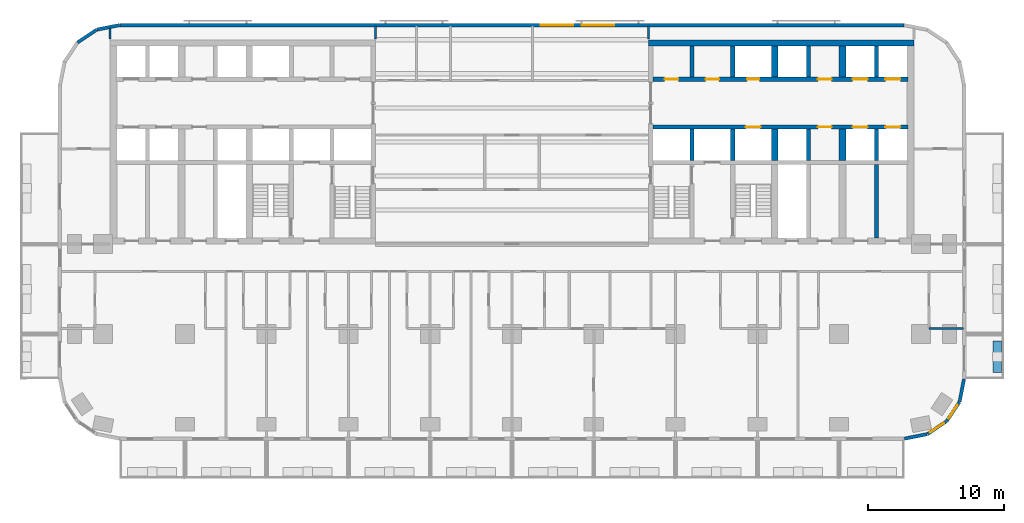
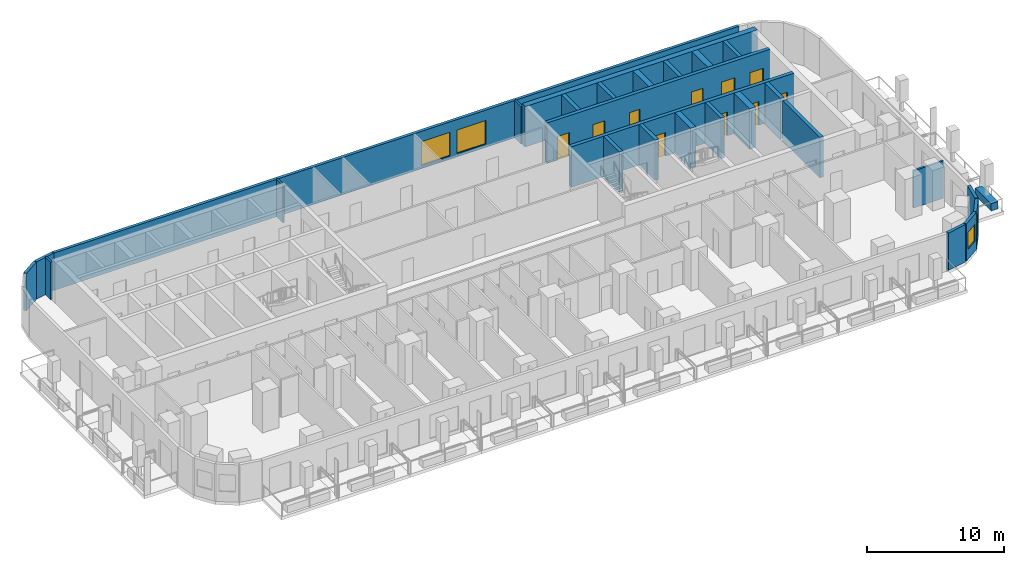
# One storey, part 7 of 13: 28 walls, 10 doors, 4 windows, 14 openings.
"""IFC4 building model written with IfcOpenShell, lengths in metres."""

from ifc_helpers import new_model, si_unit, direction, frame, frame_2d, origin, place, context, subcontext, project, spatial, rectangle, extrude, material, layer, layer_set, type_object, element, fill, save


model = new_model("IFC4")

# Units and contexts
model_context = context("Model", 3, precision=1e-05, world=origin(), true_north=direction((0.0, 1.0)))
body_context = subcontext(model_context, "Body", "Model", "MODEL_VIEW")
ifc_project = project(units=[si_unit("LENGTHUNIT", "METRE"), si_unit("AREAUNIT", "SQUARE_METRE"), si_unit("VOLUMEUNIT", "CUBIC_METRE"), si_unit("PLANEANGLEUNIT", "RADIAN"), si_unit("MASSUNIT", "GRAM", prefix="KILO")], contexts=[model_context])

# Site, building, storey
site_placement = place(None, origin())
site = spatial("IfcSite", under=ifc_project, at=site_placement, CompositionType="ELEMENT")
building_placement = place(site_placement, origin())
building = spatial("IfcBuilding", under=site, at=building_placement, Name="Torana Hotel and Residences", CompositionType="ELEMENT")
storey_placement = place(building_placement, frame((0.0, 0.0, 60.0)))
storey = spatial("IfcBuildingStorey", under=building, at=storey_placement, Name="L14", CompositionType="ELEMENT", Elevation=60.0)

# Wall, openings, doors
ifc_material_1 = material(Name="Concrete C80/95", Category="concrete")
ifc_layer_1 = layer(ifc_material_1, 0.300048828125)
ifc_layer_set_1 = layer_set([ifc_layer_1], Name="CORE WALL 300 C80/95")
wall_type_1 = type_object("IfcWallType", Name="CORE WALL 300 C80/95", PredefinedType="SHEAR", material=ifc_layer_set_1)
wall_1_placement = place(storey_placement, frame((10.35009765625, -2.89990234375, 0.0), z_axis=(0.0, 0.0, 1.0), x_axis=(1.0, 0.0, 0.0)))
wall_1 = element("IfcWall", 1, at=wall_1_placement, inside=storey, type_object=wall_type_1, Name="Core wall E row-N", PredefinedType="SHEAR", context=body_context, shape_type="SweptSolid", body=[
    extrude(rectangle(XDim=18.699951171875, YDim=0.300048828125, at=frame_2d((9.35009765625, 0.0))), origin(), (0.0, 0.0, 1.0), 3.60009765625),
])
opening_1_placement = place(wall_1_placement, frame((14.64990234375, 0.0, 0.0)))
opening_1 = element("IfcOpeningElement", 2, at=opening_1_placement, cuts=wall_1, Name="Opening LD", PredefinedType="OPENING", context=body_context, shape_type="SweptSolid", body=[
    extrude(rectangle(XDim=1.10009765625, YDim=2.10009765625, at=frame_2d((0.550048828125, 1.050048828125))), frame((0.0, 0.159912109375, 0.0), z_axis=(0.0, -1.0, 0.0), x_axis=(1.0, 0.0, 0.0)), (0.0, 0.0, 1.0), 0.320068359375),
])
opening_2_placement = place(wall_1_placement, frame((17.050048828125, 0.0, 0.0)))
opening_2 = element("IfcOpeningElement", 3, at=opening_2_placement, cuts=wall_1, Name="Opening LD", PredefinedType="OPENING", context=body_context, shape_type="SweptSolid", body=[
    extrude(rectangle(XDim=1.10009765625, YDim=2.10009765625, at=frame_2d((0.550048828125, 1.050048828125))), frame((0.0, 0.159912109375, 0.0), z_axis=(0.0, -1.0, 0.0), x_axis=(1.0, 0.0, 0.0)), (0.0, 0.0, 1.0), 0.320068359375),
])
opening_3_placement = place(wall_1_placement, frame((6.89990234375, 0.0, 0.0)))
opening_3 = element("IfcOpeningElement", 4, at=opening_3_placement, cuts=wall_1, Name="Opening L14-26", PredefinedType="OPENING", context=body_context, shape_type="SweptSolid", body=[
    extrude(rectangle(XDim=0.89990234375, YDim=2.10009765625, at=frame_2d((0.449951171875, 1.050048828125))), frame((0.0, 0.159912109375, 0.0), z_axis=(0.0, -1.0, 0.0), x_axis=(1.0, 0.0, 0.0)), (0.0, 0.0, 1.0), 0.320068359375),
])
opening_4_placement = place(wall_1_placement, frame((0.85009765625, 0.0, 0.0)))
opening_4 = element("IfcOpeningElement", 5, at=opening_4_placement, cuts=wall_1, Name="Opening L14-27", PredefinedType="OPENING", context=body_context, shape_type="SweptSolid", body=[
    extrude(rectangle(XDim=1.0, YDim=2.10009765625, at=frame_2d((0.5, 1.050048828125))), frame((0.0, 0.159912109375, 0.0), z_axis=(0.0, -1.0, 0.0), x_axis=(1.0, 0.0, 0.0)), (0.0, 0.0, 1.0), 0.320068359375),
])
opening_5_placement = place(wall_1_placement, frame((3.85009765625, 0.0, 0.0)))
opening_5 = element("IfcOpeningElement", 6, at=opening_5_placement, cuts=wall_1, Name="Opening L14-28", PredefinedType="OPENING", context=body_context, shape_type="SweptSolid", body=[
    extrude(rectangle(XDim=1.0, YDim=2.10009765625, at=frame_2d((0.5, 1.050048828125))), frame((0.0, 0.159912109375, 0.0), z_axis=(0.0, -1.0, 0.0), x_axis=(1.0, 0.0, 0.0)), (0.0, 0.0, 1.0), 0.320068359375),
])
opening_6_placement = place(wall_1_placement, frame((12.10009765625, 0.0, 0.0)))
opening_6 = element("IfcOpeningElement", 7, at=opening_6_placement, cuts=wall_1, Name="Opening L14-29", PredefinedType="OPENING", context=body_context, shape_type="SweptSolid", body=[
    extrude(rectangle(XDim=1.0, YDim=2.10009765625, at=frame_2d((0.5, 1.050048828125))), frame((0.0, 0.159912109375, 0.0), z_axis=(0.0, -1.0, 0.0), x_axis=(1.0, 0.0, 0.0)), (0.0, 0.0, 1.0), 0.320068359375),
])
ifc_material_2 = material(Name="Steel S235", Category="steel")
door_type_1 = type_object("IfcDoorType", Name="CORE ROOM FIRE DOOR D14 1000x2100", OperationType="SINGLE_SWING_LEFT", PredefinedType="DOOR", material=ifc_material_2)
door_1_placement = place(opening_4_placement, origin())
door_1 = element("IfcDoor", 8, at=door_1_placement, inside=storey, type_object=door_type_1, Name="N0 door L14", OperationType="SINGLE_SWING_RIGHT", OverallHeight=2.10009765625, OverallWidth=1.0, PredefinedType="DOOR", context=body_context, shape_type="SweptSolid", body=[
    extrude(rectangle(XDim=1.0, YDim=2.10009765625, at=frame_2d((0.5, 1.050048828125))), frame((0.0, 0.02490234375, 0.0), z_axis=(0.0, -1.0, 0.0), x_axis=(1.0, 0.0, 0.0)), (0.0, 0.0, 1.0), 0.050048828125),
])
fill(opening_4, door_1)
door_2_placement = place(opening_5_placement, origin())
door_2 = element("IfcDoor", 9, at=door_2_placement, inside=storey, type_object=door_type_1, Name="N1 door L14", OperationType="SINGLE_SWING_RIGHT", OverallHeight=2.10009765625, OverallWidth=1.0, PredefinedType="DOOR", context=body_context, shape_type="SweptSolid", body=[
    extrude(rectangle(XDim=1.0, YDim=2.10009765625, at=frame_2d((0.5, 1.050048828125))), frame((0.0, 0.02490234375, 0.0), z_axis=(0.0, -1.0, 0.0), x_axis=(1.0, 0.0, 0.0)), (0.0, 0.0, 1.0), 0.050048828125),
])
fill(opening_5, door_2)
door_3_placement = place(opening_6_placement, origin())
door_3 = element("IfcDoor", 10, at=door_3_placement, inside=storey, type_object=door_type_1, Name="Free-M3 door L14", OperationType="SINGLE_SWING_RIGHT", OverallHeight=2.10009765625, OverallWidth=1.0, PredefinedType="DOOR", context=body_context, shape_type="SweptSolid", body=[
    extrude(rectangle(XDim=1.0, YDim=2.10009765625, at=frame_2d((0.5, 1.050048828125))), frame((0.0, 0.02490234375, 0.0), z_axis=(0.0, -1.0, 0.0), x_axis=(1.0, 0.0, 0.0)), (0.0, 0.0, 1.0), 0.050048828125),
])
fill(opening_6, door_3)
ifc_material_3 = material(Name="Stainless steel 316", Category="steel")
door_type_2 = type_object("IfcDoorType", Name="LIFT LANDING DOOR LD 1100x2100", OperationType="DOUBLE_DOOR_SLIDING", PredefinedType="USERDEFINED", material=ifc_material_3)
door_4_placement = place(opening_1_placement, origin())
door_4 = element("IfcDoor", 11, at=door_4_placement, inside=storey, type_object=door_type_2, Name="Lift landing door L5 L14", ObjectType="LIFT LANDING DOOR", OperationType="DOUBLE_DOOR_SLIDING", OverallHeight=2.10009765625, OverallWidth=1.10009765625, PredefinedType="USERDEFINED", context=body_context, shape_type="SweptSolid", body=[
    extrude(rectangle(XDim=1.10009765625, YDim=2.10009765625, at=frame_2d((0.550048828125, 1.050048828125))), frame((0.0, 0.02490234375, 0.0), z_axis=(0.0, -1.0, 0.0), x_axis=(1.0, 0.0, 0.0)), (0.0, 0.0, 1.0), 0.050048828125),
])
fill(opening_1, door_4)
door_5_placement = place(opening_2_placement, origin())
door_5 = element("IfcDoor", 12, at=door_5_placement, inside=storey, type_object=door_type_2, Name="Lift landing door L6 L14", ObjectType="LIFT LANDING DOOR", OperationType="DOUBLE_DOOR_SLIDING", OverallHeight=2.10009765625, OverallWidth=1.10009765625, PredefinedType="USERDEFINED", context=body_context, shape_type="SweptSolid", body=[
    extrude(rectangle(XDim=1.10009765625, YDim=2.10009765625, at=frame_2d((0.550048828125, 1.050048828125))), frame((0.0, 0.02490234375, 0.0), z_axis=(0.0, -1.0, 0.0), x_axis=(1.0, 0.0, 0.0)), (0.0, 0.0, 1.0), 0.050048828125),
])
fill(opening_2, door_5)
ifc_material_4 = material(Name="Steel S235", Category="steel")
door_type_3 = type_object("IfcDoorType", Name="RISER ACCESS DOOR D5 900x2100", OperationType="SINGLE_SWING_LEFT", PredefinedType="DOOR", material=ifc_material_4)
door_6_placement = place(opening_3_placement, origin())
door_6 = element("IfcDoor", 13, at=door_6_placement, inside=storey, type_object=door_type_3, Name="N2 door L14", OperationType="SINGLE_SWING_RIGHT", OverallHeight=2.10009765625, OverallWidth=0.89990234375, PredefinedType="DOOR", context=body_context, shape_type="SweptSolid", body=[
    extrude(rectangle(XDim=0.89990234375, YDim=2.10009765625, at=frame_2d((0.449951171875, 1.050048828125))), frame((0.0, 0.02490234375, 0.0), z_axis=(0.0, -1.0, 0.0), x_axis=(1.0, 0.0, 0.0)), (0.0, 0.0, 1.0), 0.050048828125),
])
fill(opening_3, door_6)

wall_2_placement = place(storey_placement, frame((10.35009765625, -6.39990234375, 0.0), z_axis=(0.0, 0.0, 1.0), x_axis=(1.0, 0.0, 0.0)))
wall_2 = element("IfcWall", 14, at=wall_2_placement, inside=storey, type_object=wall_type_1, Name="Core wall E row-S", PredefinedType="SHEAR", context=body_context, shape_type="SweptSolid", body=[
    extrude(rectangle(XDim=18.699951171875, YDim=0.300048828125, at=frame_2d((9.35009765625, 0.0))), origin(), (0.0, 0.0, 1.0), 3.60009765625),
])
opening_7_placement = place(wall_2_placement, frame((14.64990234375, 0.0, 0.0)))
opening_7 = element("IfcOpeningElement", 15, at=opening_7_placement, cuts=wall_2, Name="Opening LD", PredefinedType="OPENING", context=body_context, shape_type="SweptSolid", body=[
    extrude(rectangle(XDim=1.10009765625, YDim=2.10009765625, at=frame_2d((0.550048828125, 1.050048828125))), frame((0.0, 0.159912109375, 0.0), z_axis=(0.0, -1.0, 0.0), x_axis=(1.0, 0.0, 0.0)), (0.0, 0.0, 1.0), 0.320068359375),
])
opening_8_placement = place(wall_2_placement, frame((17.050048828125, 0.0, 0.0)))
opening_8 = element("IfcOpeningElement", 16, at=opening_8_placement, cuts=wall_2, Name="Opening LD", PredefinedType="OPENING", context=body_context, shape_type="SweptSolid", body=[
    extrude(rectangle(XDim=1.10009765625, YDim=2.10009765625, at=frame_2d((0.550048828125, 1.050048828125))), frame((0.0, 0.159912109375, 0.0), z_axis=(0.0, -1.0, 0.0), x_axis=(1.0, 0.0, 0.0)), (0.0, 0.0, 1.0), 0.320068359375),
])
opening_9_placement = place(wall_2_placement, frame((6.800048828125, 0.0, 0.0)))
opening_9 = element("IfcOpeningElement", 17, at=opening_9_placement, cuts=wall_2, Name="Opening LD", PredefinedType="OPENING", context=body_context, shape_type="SweptSolid", body=[
    extrude(rectangle(XDim=1.10009765625, YDim=2.10009765625, at=frame_2d((0.550048828125, 1.050048828125))), frame((0.0, 0.159912109375, 0.0), z_axis=(0.0, -1.0, 0.0), x_axis=(1.0, 0.0, 0.0)), (0.0, 0.0, 1.0), 0.320068359375),
])
opening_10_placement = place(wall_2_placement, frame((12.10009765625, 0.0, 0.0)))
opening_10 = element("IfcOpeningElement", 18, at=opening_10_placement, cuts=wall_2, Name="Opening L14-30", PredefinedType="OPENING", context=body_context, shape_type="SweptSolid", body=[
    extrude(rectangle(XDim=1.0, YDim=2.10009765625, at=frame_2d((0.5, 1.050048828125))), frame((0.0, 0.159912109375, 0.0), z_axis=(0.0, -1.0, 0.0), x_axis=(1.0, 0.0, 0.0)), (0.0, 0.0, 1.0), 0.320068359375),
])
door_7_placement = place(opening_10_placement, frame((0.5, 0.0, 0.0), z_axis=(0.0, 0.0, 1.0), x_axis=(-1.0, 0.0, 0.0)))
door_7 = element("IfcDoor", 19, at=door_7_placement, inside=storey, type_object=door_type_1, Name="Free-M4 door L14", OperationType="SINGLE_SWING_LEFT", OverallHeight=2.10009765625, OverallWidth=1.0, PredefinedType="DOOR", context=body_context, shape_type="SweptSolid", body=[
    extrude(rectangle(XDim=1.0, YDim=2.10009765625, at=frame_2d((0.0, 1.050048828125))), frame((0.0, -0.02490234375, 0.0), z_axis=(0.0, 1.0, 0.0), x_axis=(-1.0, 0.0, 0.0)), (0.0, 0.0, 1.0), 0.050048828125),
])
fill(opening_10, door_7)
door_8_placement = place(opening_7_placement, origin())
door_8 = element("IfcDoor", 20, at=door_8_placement, inside=storey, type_object=door_type_2, Name="Lift landing door L7 L14", ObjectType="LIFT LANDING DOOR", OperationType="DOUBLE_DOOR_SLIDING", OverallHeight=2.10009765625, OverallWidth=1.10009765625, PredefinedType="USERDEFINED", context=body_context, shape_type="SweptSolid", body=[
    extrude(rectangle(XDim=1.10009765625, YDim=2.10009765625, at=frame_2d((0.550048828125, 1.050048828125))), frame((0.0, 0.02490234375, 0.0), z_axis=(0.0, -1.0, 0.0), x_axis=(1.0, 0.0, 0.0)), (0.0, 0.0, 1.0), 0.050048828125),
])
fill(opening_7, door_8)
door_9_placement = place(opening_8_placement, origin())
door_9 = element("IfcDoor", 21, at=door_9_placement, inside=storey, type_object=door_type_2, Name="Lift landing door L8 L14", ObjectType="LIFT LANDING DOOR", OperationType="DOUBLE_DOOR_SLIDING", OverallHeight=2.10009765625, OverallWidth=1.10009765625, PredefinedType="USERDEFINED", context=body_context, shape_type="SweptSolid", body=[
    extrude(rectangle(XDim=1.10009765625, YDim=2.10009765625, at=frame_2d((0.550048828125, 1.050048828125))), frame((0.0, 0.02490234375, 0.0), z_axis=(0.0, -1.0, 0.0), x_axis=(1.0, 0.0, 0.0)), (0.0, 0.0, 1.0), 0.050048828125),
])
fill(opening_8, door_9)
door_10_placement = place(opening_9_placement, origin())
door_10 = element("IfcDoor", 22, at=door_10_placement, inside=storey, type_object=door_type_2, Name="Lift landing door SV2 L14", ObjectType="LIFT LANDING DOOR", OperationType="DOUBLE_DOOR_SLIDING", OverallHeight=2.10009765625, OverallWidth=1.10009765625, PredefinedType="USERDEFINED", context=body_context, shape_type="SweptSolid", body=[
    extrude(rectangle(XDim=1.10009765625, YDim=2.10009765625, at=frame_2d((0.550048828125, 1.050048828125))), frame((0.0, 0.02490234375, 0.0), z_axis=(0.0, -1.0, 0.0), x_axis=(1.0, 0.0, 0.0)), (0.0, 0.0, 1.0), 0.050048828125),
])
fill(opening_9, door_10)

# Walls
for number, where, z_axis, x_axis, name in (
    (23, (13.199951171875, -2.75, 0.0), (0.0, 0.0, 1.0), (0.0, 1.0, 0.0), "Core wall E x3.05-N"),
    (24, (13.199951171875, -8.85009765625, 0.0), (0.0, 0.0, 1.0), (0.0, 1.0, 0.0), "Core wall E x3.05-S"),
    (25, (16.199951171875, -2.75, 0.0), (0.0, 0.0, 1.0), (0.0, 1.0, 0.0), "Core wall E x6.05-N"),
    (26, (16.199951171875, -8.85009765625, 0.0), (0.0, 0.0, 1.0), (0.0, 1.0, 0.0), "Core wall E x6.05-S"),
    (27, (21.75, -2.75, 0.0), (0.0, 0.0, 1.0), (0.0, 1.0, 0.0), "Core wall E mm-N"),
    (28, (21.75, -8.85009765625, 0.0), (0.0, 0.0, 1.0), (0.0, 1.0, 0.0), "Core wall E mm-S"),
    (29, (26.75, -2.75, 0.0), (0.0, 0.0, 1.0), (0.0, 1.0, 0.0), "Core wall E ll-N"),
    (30, (26.75, -8.85009765625, 0.0), (0.0, 0.0, 1.0), (0.0, 1.0, 0.0), "Core wall E ll-S"),
):
    element("IfcWall", number, at=place(storey_placement, frame(where, z_axis=z_axis, x_axis=x_axis)), inside=storey, type_object=wall_type_1, Name=name, PredefinedType="SHEAR", context=body_context, shape_type="SweptSolid", body=[
        extrude(rectangle(XDim=2.300048828125, YDim=0.300048828125, at=frame_2d((1.14990234375, 0.0))), origin(), (0.0, 0.0, 1.0), 3.60009765625),
    ])
wall_3_placement = place(storey_placement, frame((26.75, -14.550048828125, 0.0), z_axis=(0.0, 0.0, 1.0), x_axis=(0.0, 1.0, 0.0)))
element("IfcWall", 31, at=wall_3_placement, inside=storey, type_object=wall_type_1, Name="Core wall E ll-band", PredefinedType="SHEAR", context=body_context, shape_type="SweptSolid", body=[
    extrude(rectangle(XDim=5.400146484375, YDim=0.300048828125, at=frame_2d((2.7001953125, 0.0))), origin(), (0.0, 0.0, 1.0), 3.60009765625),
])
ifc_material_5 = material(Name="Concrete C80/95", Category="concrete")
ifc_layer_2 = layer(ifc_material_5, 0.449951171875)
ifc_layer_set_2 = layer_set([ifc_layer_2], Name="CORE WALL 450 C80/95")
wall_type_2 = type_object("IfcWallType", Name="CORE WALL 450 C80/95", PredefinedType="SHEAR", material=ifc_layer_set_2)
wall_4_placement = place(storey_placement, frame((10.0, -0.22509765625, 0.0), z_axis=(0.0, 0.0, 1.0), x_axis=(1.0, 0.0, 0.0)))
element("IfcWall", 32, at=wall_4_placement, inside=storey, type_object=wall_type_2, Name="Core wall E rear", PredefinedType="SHEAR", context=body_context, shape_type="SweptSolid", body=[
    extrude(rectangle(XDim=19.5, YDim=0.449951171875, at=frame_2d((9.75, 0.0))), origin(), (0.0, 0.0, 1.0), 3.60009765625),
])
for number, where, z_axis, x_axis, name in (
    (33, (19.27490234375, -2.75, 0.0), (0.0, 0.0, 1.0), (0.0, 1.0, 0.0), "Core wall E hm-N"),
    (34, (19.27490234375, -8.85009765625, 0.0), (0.0, 0.0, 1.0), (0.0, 1.0, 0.0), "Core wall E hm-S"),
):
    element("IfcWall", number, at=place(storey_placement, frame(where, z_axis=z_axis, x_axis=x_axis)), inside=storey, type_object=wall_type_2, Name=name, PredefinedType="SHEAR", context=body_context, shape_type="SweptSolid", body=[
        extrude(rectangle(XDim=2.300048828125, YDim=0.449951171875, at=frame_2d((1.14990234375, 0.0))), origin(), (0.0, 0.0, 1.0), 3.60009765625),
    ])
ifc_material_6 = material(Name="Concrete C80/95", Category="concrete")
ifc_layer_3 = layer(ifc_material_6, 0.5)
ifc_layer_set_3 = layer_set([ifc_layer_3], Name="CORE WALL 500 C80/95")
wall_type_3 = type_object("IfcWallType", Name="CORE WALL 500 C80/95", PredefinedType="SHEAR", material=ifc_layer_set_3)
for number, where, z_axis, x_axis, name in (
    (35, (24.25, -2.75, 0.0), (0.0, 0.0, 1.0), (0.0, 1.0, 0.0), "Core wall E ml-N"),
    (36, (24.25, -8.85009765625, 0.0), (0.0, 0.0, 1.0), (0.0, 1.0, 0.0), "Core wall E ml-S"),
):
    element("IfcWall", number, at=place(storey_placement, frame(where, z_axis=z_axis, x_axis=x_axis)), inside=storey, type_object=wall_type_3, Name=name, PredefinedType="SHEAR", context=body_context, shape_type="SweptSolid", body=[
        extrude(rectangle(XDim=2.300048828125, YDim=0.5, at=frame_2d((1.14990234375, 0.0))), origin(), (0.0, 0.0, 1.0), 3.60009765625),
    ])
ifc_material_7 = material(Name="Black aluminium composite panel", Category="aluminium")
ifc_layer_4 = layer(ifc_material_7, 0.00390625, Name="Cladding", Category="cladding")
ifc_material_8 = material(Name="Ventilated air cavity")
ifc_layer_5 = layer(ifc_material_8, 0.0400390625, Name="Ventilated cavity", Category="cavity")
ifc_material_9 = material(Name="Mineral wool insulation")
ifc_layer_6 = layer(ifc_material_9, 0.090087890625, Name="Insulation", Category="insulation")
ifc_material_10 = material(Name="Steel S280GD", Category="steel")
ifc_layer_7 = layer(ifc_material_10, 0.092041015625, Name="Steel stud frame", Category="structure")
ifc_material_11 = material(Name="Fire rated plasterboard")
ifc_layer_8 = layer(ifc_material_11, 0.011962890625, Name="Inner board", Category="finish")
ifc_layer_9 = layer(ifc_material_11, 0.011962890625, Name="Second board", Category="finish")
ifc_layer_set_4 = layer_set([ifc_layer_4, ifc_layer_5, ifc_layer_6, ifc_layer_7, ifc_layer_8, ifc_layer_9], Name="EW1 EXTERNAL WALL BLACK METAL CLAD 250")
wall_type_4 = type_object("IfcWallType", Name="EW1 EXTERNAL WALL BLACK METAL CLAD 250", PredefinedType="SOLIDWALL", material=ifc_layer_set_4)
wall_5_placement = place(storey_placement, frame((-28.7998046875, 1.072509765625, 0.0), z_axis=(0.0, 0.0, 1.0), x_axis=(-0.980803419081, -0.194999110559, 0.0)))
element("IfcWall", 37, at=wall_5_placement, inside=storey, type_object=wall_type_4, Name="External wall L14 e0.5", PredefinedType="SOLIDWALL", context=body_context, shape_type="SweptSolid", body=[
    extrude(rectangle(XDim=1.681396484375, YDim=0.25, at=frame_2d((0.8408203125, 0.0))), origin(), (0.0, 0.0, 1.0), 3.320068359375),
])
wall_6_placement = place(storey_placement, frame((-30.493896484375, 0.725830078125, 0.0), z_axis=(0.0, 0.0, 1.0), x_axis=(-0.831482937015, -0.55555029066, 0.0)))
element("IfcWall", 38, at=wall_6_placement, inside=storey, type_object=wall_type_4, Name="External wall L14 e0.6", PredefinedType="SOLIDWALL", context=body_context, shape_type="SweptSolid", body=[
    extrude(rectangle(XDim=1.65625, YDim=0.25, at=frame_2d((0.828125, 0.0))), origin(), (0.0, 0.0, 1.0), 3.320068359375),
])
wall_7_placement = place(storey_placement, frame((28.7998046875, -29.272705078125, 0.0), z_axis=(0.0, 0.0, 1.0), x_axis=(0.980775640221, 0.19513878023, 0.0)))
element("IfcWall", 39, at=wall_7_placement, inside=storey, type_object=wall_type_4, Name="External wall L14 e0.15", PredefinedType="SOLIDWALL", context=body_context, shape_type="SweptSolid", body=[
    extrude(rectangle(XDim=1.681396484375, YDim=0.25, at=frame_2d((0.8408203125, 0.0))), origin(), (0.0, 0.0, 1.0), 3.320068359375),
])

# Wall, opening, window
wall_8_placement = place(storey_placement, frame((30.493896484375, -28.92578125, 0.0), z_axis=(0.0, 0.0, 1.0), x_axis=(0.831482937015, 0.55555029066, 0.0)))
wall_8 = element("IfcWall", 40, at=wall_8_placement, inside=storey, type_object=wall_type_4, Name="External wall L14 e0.16", PredefinedType="SOLIDWALL", context=body_context, shape_type="SweptSolid", body=[
    extrude(rectangle(XDim=1.65625, YDim=0.25, at=frame_2d((0.828125, 0.0))), origin(), (0.0, 0.0, 1.0), 3.320068359375),
])
opening_11_placement = place(wall_8_placement, frame((0.228271484375, 0.0, 0.89990234375)))
opening_11 = element("IfcOpeningElement", 41, at=opening_11_placement, cuts=wall_8, Name="Opening W5", PredefinedType="OPENING", context=body_context, shape_type="SweptSolid", body=[
    extrude(rectangle(XDim=1.199951171875, YDim=1.5, at=frame_2d((0.60009765625, 0.75))), frame((0.0, 0.135009765625, 0.0), z_axis=(0.0, -1.0, 0.0), x_axis=(1.0, 0.0, 0.0)), (0.0, 0.0, 1.0), 0.27001953125),
])
ifc_material_12 = material(Name="Dark glass in black aluminium frame", Category="aluminium")
window_type_1 = type_object("IfcWindowType", Name="W5 CORNER FACET WINDOW 1200x1500", PartitioningType="SINGLE_PANEL", PredefinedType="WINDOW", material=ifc_material_12)
window_1_placement = place(opening_11_placement, origin())
window_1 = element("IfcWindow", 42, at=window_1_placement, inside=storey, type_object=window_type_1, Name="Window L14 e0.16", OverallHeight=1.5, OverallWidth=1.199951171875, PartitioningType="SINGLE_PANEL", PredefinedType="WINDOW", context=body_context, shape_type="SweptSolid", body=[
    extrude(rectangle(XDim=1.199951171875, YDim=1.5, at=frame_2d((0.60009765625, 0.75))), frame((0.0, 0.030029296875, 0.0), z_axis=(0.0, -1.0, 0.0), x_axis=(1.0, 0.0, 0.0)), (0.0, 0.0, 1.0), 0.06005859375),
])
fill(opening_11, window_1)

wall_9_placement = place(storey_placement, frame((31.90576171875, -27.97119140625, 0.0), z_axis=(0.0, 0.0, 1.0), x_axis=(0.55555029066, 0.831482937015, 0.0)))
wall_9 = element("IfcWall", 43, at=wall_9_placement, inside=storey, type_object=wall_type_4, Name="External wall L14 e0.17", PredefinedType="SOLIDWALL", context=body_context, shape_type="SweptSolid", body=[
    extrude(rectangle(XDim=1.65625, YDim=0.25, at=frame_2d((0.828125, 0.0))), origin(), (0.0, 0.0, 1.0), 3.320068359375),
])
opening_12_placement = place(wall_9_placement, frame((0.228271484375, 0.0, 0.89990234375)))
opening_12 = element("IfcOpeningElement", 44, at=opening_12_placement, cuts=wall_9, Name="Opening W5", PredefinedType="OPENING", context=body_context, shape_type="SweptSolid", body=[
    extrude(rectangle(XDim=1.199951171875, YDim=1.5, at=frame_2d((0.60009765625, 0.75))), frame((0.0, 0.135009765625, 0.0), z_axis=(0.0, -1.0, 0.0), x_axis=(1.0, 0.0, 0.0)), (0.0, 0.0, 1.0), 0.27001953125),
])
window_2_placement = place(opening_12_placement, origin())
window_2 = element("IfcWindow", 45, at=window_2_placement, inside=storey, type_object=window_type_1, Name="Window L14 e0.17", OverallHeight=1.5, OverallWidth=1.199951171875, PartitioningType="SINGLE_PANEL", PredefinedType="WINDOW", context=body_context, shape_type="SweptSolid", body=[
    extrude(rectangle(XDim=1.199951171875, YDim=1.5, at=frame_2d((0.60009765625, 0.75))), frame((0.0, 0.030029296875, 0.0), z_axis=(0.0, -1.0, 0.0), x_axis=(1.0, 0.0, 0.0)), (0.0, 0.0, 1.0), 0.06005859375),
])
fill(opening_12, window_2)

# Wall
wall_10_placement = place(storey_placement, frame((32.844482421875, -26.548828125, 0.0), z_axis=(0.0, 0.0, 1.0), x_axis=(0.195166572128, 0.980770110232, 0.0)))
element("IfcWall", 46, at=wall_10_placement, inside=storey, type_object=wall_type_4, Name="External wall L14 e0.18", PredefinedType="SOLIDWALL", context=body_context, shape_type="SweptSolid", body=[
    extrude(rectangle(XDim=1.68115234375, YDim=0.25, at=frame_2d((0.840576171875, 0.0))), origin(), (0.0, 0.0, 1.0), 3.320068359375),
])

# Wall, openings, windows
ifc_material_13 = material(Name="Concrete C40/50 precast", Category="concrete")
ifc_layer_10 = layer(ifc_material_13, 0.10009765625, Name="Perforated block", Category="cladding")
ifc_material_14 = material(Name="Air cavity")
ifc_layer_11 = layer(ifc_material_14, 0.030029296875, Name="Cavity", Category="cavity")
ifc_material_15 = material(Name="Concrete C40/50", Category="concrete")
ifc_layer_12 = layer(ifc_material_15, 0.10009765625, Name="Wall", Category="structure")
ifc_material_16 = material(Name="Plaster and paint")
ifc_layer_13 = layer(ifc_material_16, 0.02001953125, Name="Inner finish", Category="finish")
ifc_layer_set_5 = layer_set([ifc_layer_10, ifc_layer_11, ifc_layer_12, ifc_layer_13], Name="EW2 PERFORATED BLOCK SCREEN WALL 250")
wall_type_5 = type_object("IfcWallType", Name="EW2 PERFORATED BLOCK SCREEN WALL 250", PredefinedType="SOLIDWALL", material=ifc_layer_set_5)
wall_11_placement = place(storey_placement, frame((28.775390625, 1.074951171875, 0.0), z_axis=(0.0, 0.0, 1.0), x_axis=(-1.0, 0.0, 0.0)))
wall_11 = element("IfcWall", 47, at=wall_11_placement, inside=storey, type_object=wall_type_5, Name="External wall L14 e0.4", PredefinedType="SOLIDWALL", context=body_context, shape_type="SweptSolid", body=[
    extrude(rectangle(XDim=57.55078125, YDim=0.25, at=frame_2d((28.775390625, 0.0))), origin(), (0.0, 0.0, 1.0), 3.320068359375),
])
opening_13_placement = place(wall_11_placement, frame((21.275390625, 0.0, 0.300048828125)))
opening_13 = element("IfcOpeningElement", 48, at=opening_13_placement, cuts=wall_11, Name="Opening W1", PredefinedType="OPENING", context=body_context, shape_type="SweptSolid", body=[
    extrude(rectangle(XDim=2.39990234375, YDim=2.10009765625, at=frame_2d((1.199951171875, 1.050048828125))), frame((0.0, 0.135009765625, 0.0), z_axis=(0.0, -1.0, 0.0), x_axis=(1.0, 0.0, 0.0)), (0.0, 0.0, 1.0), 0.27001953125),
])
opening_14_placement = place(wall_11_placement, frame((24.275390625, 0.0, 0.300048828125)))
opening_14 = element("IfcOpeningElement", 49, at=opening_14_placement, cuts=wall_11, Name="Opening W1", PredefinedType="OPENING", context=body_context, shape_type="SweptSolid", body=[
    extrude(rectangle(XDim=2.39990234375, YDim=2.10009765625, at=frame_2d((1.199951171875, 1.050048828125))), frame((0.0, 0.135009765625, 0.0), z_axis=(0.0, -1.0, 0.0), x_axis=(1.0, 0.0, 0.0)), (0.0, 0.0, 1.0), 0.27001953125),
])
ifc_material_17 = material(Name="Dark glass in black aluminium frame", Category="aluminium")
window_type_2 = type_object("IfcWindowType", Name="W1 HOTEL ROOM WINDOW 2400x2100", PartitioningType="SINGLE_PANEL", PredefinedType="WINDOW", material=ifc_material_17)
window_3_placement = place(opening_13_placement, origin())
window_3 = element("IfcWindow", 50, at=window_3_placement, inside=storey, type_object=window_type_2, Name="Window L14", OverallHeight=2.10009765625, OverallWidth=2.39990234375, PartitioningType="SINGLE_PANEL", PredefinedType="WINDOW", context=body_context, shape_type="SweptSolid", body=[
    extrude(rectangle(XDim=2.39990234375, YDim=2.10009765625, at=frame_2d((1.199951171875, 1.050048828125))), frame((0.0, 0.030029296875, 0.0), z_axis=(0.0, -1.0, 0.0), x_axis=(1.0, 0.0, 0.0)), (0.0, 0.0, 1.0), 0.06005859375),
])
fill(opening_13, window_3)
window_4_placement = place(opening_14_placement, origin())
window_4 = element("IfcWindow", 51, at=window_4_placement, inside=storey, type_object=window_type_2, Name="Window L14", OverallHeight=2.10009765625, OverallWidth=2.39990234375, PartitioningType="SINGLE_PANEL", PredefinedType="WINDOW", context=body_context, shape_type="SweptSolid", body=[
    extrude(rectangle(XDim=2.39990234375, YDim=2.10009765625, at=frame_2d((1.199951171875, 1.050048828125))), frame((0.0, 0.030029296875, 0.0), z_axis=(0.0, -1.0, 0.0), x_axis=(1.0, 0.0, 0.0)), (0.0, 0.0, 1.0), 0.06005859375),
])
fill(opening_14, window_4)

# Walls
ifc_material_18 = material(Name="Gypsum plasterboard")
ifc_layer_14 = layer(ifc_material_18, 0.012451171875, Name="Plasterboard", Category="finish")
ifc_layer_15 = layer(ifc_material_18, 0.012451171875, Name="Plasterboard", Category="finish")
ifc_layer_16 = layer(ifc_material_10, 0.10009765625, Name="Steel studs with mineral wool", Category="insulation")
ifc_layer_17 = layer(ifc_material_18, 0.012451171875, Name="Plasterboard", Category="finish")
ifc_layer_18 = layer(ifc_material_18, 0.012451171875, Name="Plasterboard", Category="finish")
ifc_layer_set_6 = layer_set([ifc_layer_14, ifc_layer_15, ifc_layer_16, ifc_layer_17, ifc_layer_18], Name="PARTITION 150 PLASTERBOARD")
wall_type_6 = type_object("IfcWallType", Name="PARTITION 150 PLASTERBOARD", PredefinedType="PARTITIONING", material=ifc_layer_set_6)
wall_12_placement = place(storey_placement, frame((10.0, 0.050048828125, 0.0), z_axis=(0.0, 0.0, 1.0), x_axis=(0.0, 1.0, 0.0)))
element("IfcWall", 52, at=wall_12_placement, inside=storey, type_object=wall_type_6, Name="Partition L14", PredefinedType="PARTITIONING", context=body_context, shape_type="SweptSolid", body=[
    extrude(rectangle(XDim=0.969970703125, YDim=0.14990234375, at=frame_2d((0.48486328125, 0.0))), origin(), (0.0, 0.0, 1.0), 3.320068359375),
])
wall_13_placement = place(storey_placement, frame((-29.5, 0.050048828125, 0.0), z_axis=(0.0, 0.0, 1.0), x_axis=(0.0, 1.0, 0.0)))
element("IfcWall", 53, at=wall_13_placement, inside=storey, type_object=wall_type_6, Name="Partition L14", PredefinedType="PARTITIONING", context=body_context, shape_type="SweptSolid", body=[
    extrude(rectangle(XDim=0.8271484375, YDim=0.14990234375, at=frame_2d((0.41357421875, 0.0))), origin(), (0.0, 0.0, 1.0), 3.320068359375),
])
wall_14_placement = place(storey_placement, frame((30.60009765625, -21.199951171875, 0.0), z_axis=(0.0, 0.0, 1.0), x_axis=(1.0, 0.0, 0.0)))
element("IfcWall", 54, at=wall_14_placement, inside=storey, type_object=wall_type_6, Name="Partition L14", PredefinedType="PARTITIONING", context=body_context, shape_type="SweptSolid", body=[
    extrude(rectangle(XDim=2.52001953125, YDim=0.14990234375, at=frame_2d((1.260009765625, 0.0))), origin(), (0.0, 0.0, 1.0), 3.320068359375),
])
ifc_layer_19 = layer(ifc_material_13, 0.10009765625, Name="Planter shell", Category="structure")
ifc_material_19 = material(Name="Root resistant membrane")
ifc_layer_20 = layer(ifc_material_19, 0.00390625, Name="Waterproofing membrane", Category="membrane")
ifc_material_20 = material(Name="Drainage board with filter fleece")
ifc_layer_21 = layer(ifc_material_20, 0.02001953125, Name="Drainage board", Category="drainage")
ifc_material_21 = material(Name="Growing medium")
ifc_layer_22 = layer(ifc_material_21, 0.47607421875, Name="Planting substrate", Category="soil")
ifc_layer_set_7 = layer_set([ifc_layer_19, ifc_layer_20, ifc_layer_21, ifc_layer_22], Name="PL1 BALCONY PLANTER 600")
wall_type_7 = type_object("IfcWallType", Name="PL1 BALCONY PLANTER 600", PredefinedType="USERDEFINED", material=ifc_layer_set_7)
wall_15_placement = place(storey_placement, frame((35.60009765625, -22.10009765625, 0.0), z_axis=(0.0, 0.0, 1.0), x_axis=(0.0, -1.0, 0.0)))
element("IfcWall", 55, at=wall_15_placement, inside=storey, type_object=wall_type_7, Name="Planter 14", ObjectType="PLANTER", PredefinedType="USERDEFINED", context=body_context, shape_type="SweptSolid", body=[
    extrude(rectangle(XDim=2.2998046875, YDim=0.60009765625, at=frame_2d((1.14990234375, 0.0))), origin(), (0.0, 0.0, 1.0), 0.64990234375),
])
ifc_material_22 = material(Name="Ceramic tile on adhesive")
ifc_layer_23 = layer(ifc_material_22, 0.010009765625, Name="Wall tile", Category="finish")
ifc_material_23 = material(Name="Cement render")
ifc_layer_24 = layer(ifc_material_23, 0.010009765625, Name="Render", Category="finish")
ifc_material_24 = material(Name="Concrete blockwork", Category="masonry")
ifc_layer_25 = layer(ifc_material_24, 0.110107421875, Name="Blockwork", Category="structure")
ifc_layer_26 = layer(ifc_material_23, 0.010009765625, Name="Render", Category="finish")
ifc_layer_27 = layer(ifc_material_22, 0.010009765625, Name="Wall tile", Category="finish")
ifc_layer_set_8 = layer_set([ifc_layer_23, ifc_layer_24, ifc_layer_25, ifc_layer_26, ifc_layer_27], Name="WC PARTITION 150")
wall_type_8 = type_object("IfcWallType", Name="WC PARTITION 150", PredefinedType="PLUMBINGWALL", material=ifc_layer_set_8)
wall_16_placement = place(storey_placement, frame((-10.0, 0.050048828125, 0.0), z_axis=(0.0, 0.0, 1.0), x_axis=(0.0, 1.0, 0.0)))
element("IfcWall", 56, at=wall_16_placement, inside=storey, type_object=wall_type_8, Name="Partition L14", PredefinedType="PLUMBINGWALL", context=body_context, shape_type="SweptSolid", body=[
    extrude(rectangle(XDim=0.969970703125, YDim=0.14990234375, at=frame_2d((0.48486328125, 0.0))), origin(), (0.0, 0.0, 1.0), 3.320068359375),
])

save(model, "model.ifc")
